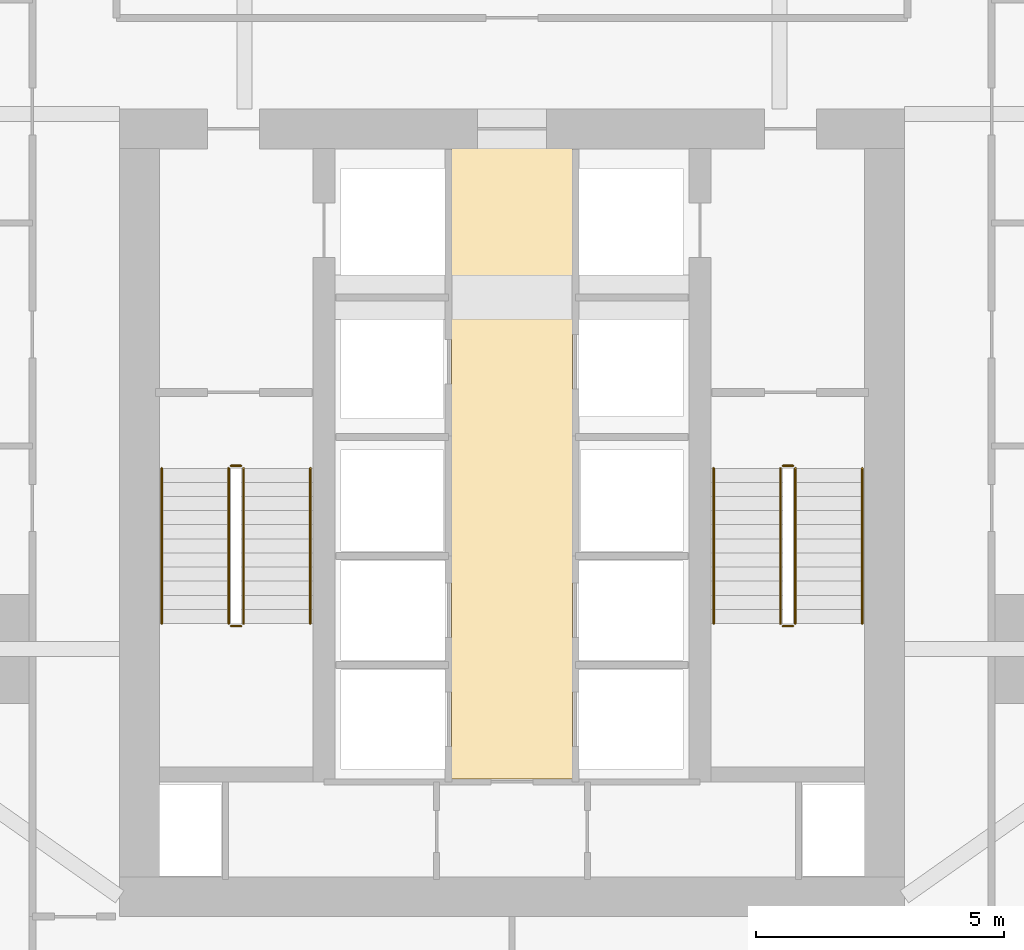
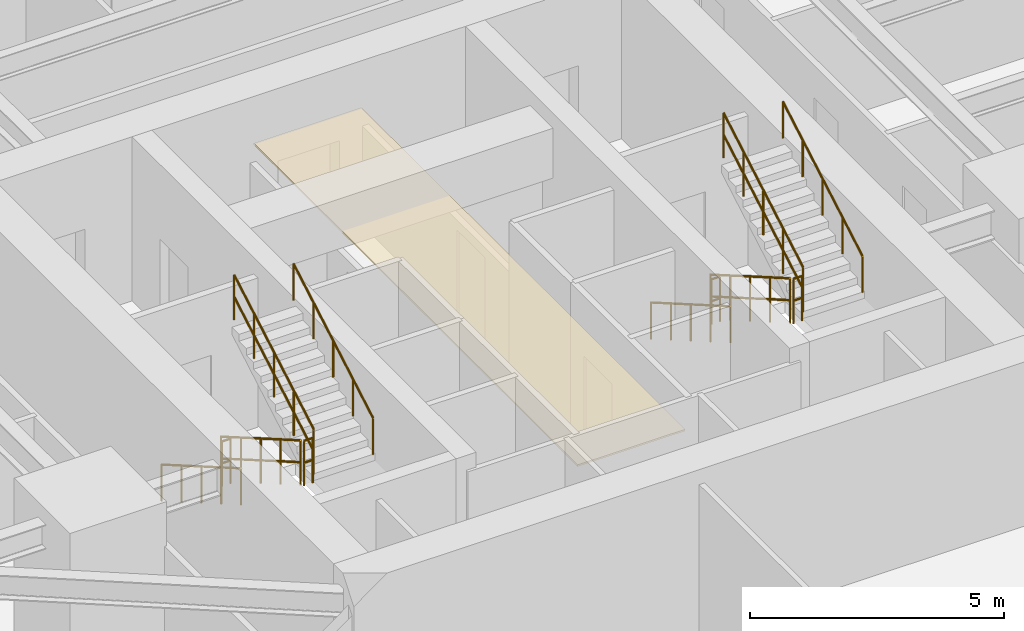
# One storey, part 28 of 29: 12 railings, 1 covering.
"""IFC4 building model written with IfcOpenShell, lengths in metres."""

from ifc_helpers import new_model, si_unit, direction, frame, origin, origin_2d, place, context, subcontext, project, spatial, polyline, circle, outline, extrude, material, layer, layer_set, type_object, element, save


model = new_model("IFC4")

# Units and contexts
model_context = context("Model", 3, precision=1e-05, world=origin(), true_north=direction((0.0, 1.0)))
body_context = subcontext(model_context, "Body", "Model", "MODEL_VIEW")
ifc_project = project(units=[si_unit("LENGTHUNIT", "METRE"), si_unit("AREAUNIT", "SQUARE_METRE"), si_unit("VOLUMEUNIT", "CUBIC_METRE"), si_unit("PLANEANGLEUNIT", "RADIAN"), si_unit("MASSUNIT", "GRAM", prefix="KILO")], contexts=[model_context])

# Site, building, storey
site_placement = place(None, origin())
site = spatial("IfcSite", under=ifc_project, at=site_placement, CompositionType="ELEMENT")
building_placement = place(site_placement, origin())
building = spatial("IfcBuilding", under=site, at=building_placement, Name="Krantzveldt Concourse Tower", CompositionType="ELEMENT")
storey_placement = place(building_placement, frame((0.0, 0.0, 76.35009765625)))
storey = spatial("IfcBuildingStorey", under=building, at=storey_placement, Name="L18", CompositionType="ELEMENT", Elevation=76.35009765625)

# Covering
ifc_material_1 = material(Name="Perforated acoustic mineral-fibre ceiling tile", Category="ceiling")
ifc_layer_1 = layer(ifc_material_1, 0.0400390625, Name="Perforated acoustic mineral-fibre ceiling tile", Category="ceiling")
ifc_layer_set_1 = layer_set([ifc_layer_1], Name="Perforated acoustic mineral-fibre ceiling tile (COV-CEIL-ACOUSTIC)")
covering_type = type_object("IfcCoveringType", Name="COV-CEIL-ACOUSTIC", PredefinedType="CEILING", material=ifc_layer_set_1)
covering_placement = place(storey_placement, frame((0.0, 0.0, 2.75)))
element("IfcCovering", 1, at=covering_placement, inside=storey, type_object=covering_type, Name="CLG-L18-LLB", PredefinedType="CEILING", context=body_context, shape_type="SweptSolid", body=[
    extrude(outline(polyline([(37.22509765625, 13.27490234375), (34.77490234375, 13.27490234375), (34.77490234375, 26.044921875), (37.22509765625, 26.044921875), (37.22509765625, 13.27490234375)])), origin(), (0.0, 0.0, 1.0), 0.039794921875),
])

# Railings
ifc_material_2 = material(Name="Stainless steel 316L", Category="steel")
ifc_layer_2 = layer(ifc_material_2, 0.06005859375, Name="Stainless steel 316L", Category="steel")
ifc_layer_set_2 = layer_set([ifc_layer_2], Name="Stainless steel 316L (RL-GUARD-1120)")
railing_type_1 = type_object("IfcRailingType", Name="RL-GUARD-1120", PredefinedType="GUARDRAIL", material=ifc_layer_set_2)
railing_1_placement = place(storey_placement, frame((30.280029296875, 19.550048828125, 0.16455078125)))
element("IfcRailing", 2, at=railing_1_placement, inside=storey, type_object=railing_type_1, Name="L18 ST-1 stair guard 1", PredefinedType="GUARDRAIL", context=body_context, shape_type="SweptSolid", body=[
    extrude(circle(Radius=0.02392578125, at=origin_2d()), frame((0.0, 0.0, 1.076171875), z_axis=(0.0, -0.865989039225, 0.500062979975), x_axis=(1.0, 0.0, 0.0)), (0.0, 0.0, 1.0), 3.6201171875),
    extrude(circle(Radius=0.02392578125, at=origin_2d()), frame((0.0, 0.0, 0.550048828125), z_axis=(0.0, -0.865989039225, 0.500062979975), x_axis=(1.0, 0.0, 0.0)), (0.0, 0.0, 1.0), 3.6201171875),
    extrude(circle(Radius=0.02099609375, at=origin_2d()), origin(), (0.0, 0.0, 1.0), 1.052001953125),
    extrude(circle(Radius=0.02099609375, at=origin_2d()), frame((0.0, -0.78369140625, 0.45263671875)), (0.0, 0.0, 1.0), 1.052001953125),
    extrude(circle(Radius=0.02099609375, at=origin_2d()), frame((0.0, -1.5673828125, 0.9052734375)), (0.0, 0.0, 1.0), 1.052001953125),
    extrude(circle(Radius=0.02099609375, at=origin_2d()), frame((0.0, -2.351318359375, 1.357666015625)), (0.0, 0.0, 1.0), 1.052001953125),
    extrude(circle(Radius=0.02099609375, at=origin_2d()), frame((0.0, -3.135009765625, 1.810302734375)), (0.0, 0.0, 1.0), 1.052001953125),
])
railing_2_placement = place(storey_placement, frame((30.330078125, 16.364990234375, 1.974853515625)))
element("IfcRailing", 3, at=railing_2_placement, inside=storey, type_object=railing_type_1, Name="L18 ST-1 stair guard 2", PredefinedType="GUARDRAIL", context=body_context, shape_type="SweptSolid", body=[
    extrude(circle(Radius=0.02392578125, at=origin_2d()), frame((0.0, 0.0, 1.076171875), z_axis=(1.0, 0.0, 0.0), x_axis=(0.0, 1.0, 0.0)), (0.0, 0.0, 1.0), 0.199951171875),
    extrude(circle(Radius=0.02392578125, at=origin_2d()), frame((0.0, 0.0, 0.550048828125), z_axis=(1.0, 0.0, 0.0), x_axis=(0.0, 1.0, 0.0)), (0.0, 0.0, 1.0), 0.199951171875),
    extrude(circle(Radius=0.02099609375, at=origin_2d()), origin(), (0.0, 0.0, 1.0), 1.052001953125),
    extrude(circle(Radius=0.02099609375, at=origin_2d()), frame((0.199951171875, 0.0, 0.0)), (0.0, 0.0, 1.0), 1.052001953125),
])
railing_3_placement = place(storey_placement, frame((30.580078125, 16.4150390625, 2.139404296875)))
element("IfcRailing", 4, at=railing_3_placement, inside=storey, type_object=railing_type_1, Name="L18 ST-1 stair guard 3", PredefinedType="GUARDRAIL", context=body_context, shape_type="SweptSolid", body=[
    extrude(circle(Radius=0.02392578125, at=origin_2d()), frame((0.0, 0.0, 1.076171875), z_axis=(0.0, 0.865959834175, 0.500113552702), x_axis=(-1.0, 0.0, 0.0)), (0.0, 0.0, 1.0), 3.620361328125),
    extrude(circle(Radius=0.02392578125, at=origin_2d()), frame((0.0, 0.0, 0.550048828125), z_axis=(0.0, 0.865959834175, 0.500113552702), x_axis=(-1.0, 0.0, 0.0)), (0.0, 0.0, 1.0), 3.620361328125),
    extrude(circle(Radius=0.02099609375, at=origin_2d()), origin(), (0.0, 0.0, 1.0), 1.052001953125),
    extrude(circle(Radius=0.02099609375, at=origin_2d()), frame((0.0, 0.78369140625, 0.45263671875)), (0.0, 0.0, 1.0), 1.052001953125),
    extrude(circle(Radius=0.02099609375, at=origin_2d()), frame((0.0, 1.5673828125, 0.9052734375)), (0.0, 0.0, 1.0), 1.052001953125),
    extrude(circle(Radius=0.02099609375, at=origin_2d()), frame((0.0, 2.351318359375, 1.35791015625)), (0.0, 0.0, 1.0), 1.052001953125),
    extrude(circle(Radius=0.02099609375, at=origin_2d()), frame((0.0, 3.135009765625, 1.810546875)), (0.0, 0.0, 1.0), 1.052001953125),
])
railing_4_placement = place(storey_placement, frame((30.330078125, 19.60009765625, 0.0)))
element("IfcRailing", 5, at=railing_4_placement, inside=storey, type_object=railing_type_1, Name="L18 ST-1 stair guard 4", PredefinedType="GUARDRAIL", context=body_context, shape_type="SweptSolid", body=[
    extrude(circle(Radius=0.02392578125, at=origin_2d()), frame((0.0, 0.0, 1.076171875), z_axis=(1.0, 0.0, 0.0), x_axis=(0.0, 1.0, 0.0)), (0.0, 0.0, 1.0), 0.199951171875),
    extrude(circle(Radius=0.02392578125, at=origin_2d()), frame((0.0, 0.0, 0.550048828125), z_axis=(1.0, 0.0, 0.0), x_axis=(0.0, 1.0, 0.0)), (0.0, 0.0, 1.0), 0.199951171875),
    extrude(circle(Radius=0.02099609375, at=origin_2d()), origin(), (0.0, 0.0, 1.0), 1.052001953125),
    extrude(circle(Radius=0.02099609375, at=origin_2d()), frame((0.199951171875, 0.0, 0.0)), (0.0, 0.0, 1.0), 1.052001953125),
])
railing_5_placement = place(storey_placement, frame((41.419921875, 19.550048828125, 0.16455078125)))
element("IfcRailing", 6, at=railing_5_placement, inside=storey, type_object=railing_type_1, Name="L18 ST-2 stair guard 1", PredefinedType="GUARDRAIL", context=body_context, shape_type="SweptSolid", body=[
    extrude(circle(Radius=0.02392578125, at=origin_2d()), frame((0.0, 0.0, 1.076171875), z_axis=(0.0, -0.865989039225, 0.500062979975), x_axis=(1.0, 0.0, 0.0)), (0.0, 0.0, 1.0), 3.6201171875),
    extrude(circle(Radius=0.02392578125, at=origin_2d()), frame((0.0, 0.0, 0.550048828125), z_axis=(0.0, -0.865989039225, 0.500062979975), x_axis=(1.0, 0.0, 0.0)), (0.0, 0.0, 1.0), 3.6201171875),
    extrude(circle(Radius=0.02099609375, at=origin_2d()), origin(), (0.0, 0.0, 1.0), 1.052001953125),
    extrude(circle(Radius=0.02099609375, at=origin_2d()), frame((0.0, -0.78369140625, 0.45263671875)), (0.0, 0.0, 1.0), 1.052001953125),
    extrude(circle(Radius=0.02099609375, at=origin_2d()), frame((0.0, -1.5673828125, 0.9052734375)), (0.0, 0.0, 1.0), 1.052001953125),
    extrude(circle(Radius=0.02099609375, at=origin_2d()), frame((0.0, -2.351318359375, 1.357666015625)), (0.0, 0.0, 1.0), 1.052001953125),
    extrude(circle(Radius=0.02099609375, at=origin_2d()), frame((0.0, -3.135009765625, 1.810302734375)), (0.0, 0.0, 1.0), 1.052001953125),
])
railing_6_placement = place(storey_placement, frame((41.469970703125, 16.364990234375, 1.974853515625)))
element("IfcRailing", 7, at=railing_6_placement, inside=storey, type_object=railing_type_1, Name="L18 ST-2 stair guard 2", PredefinedType="GUARDRAIL", context=body_context, shape_type="SweptSolid", body=[
    extrude(circle(Radius=0.02392578125, at=origin_2d()), frame((0.0, 0.0, 1.076171875), z_axis=(1.0, 0.0, 0.0), x_axis=(0.0, 1.0, 0.0)), (0.0, 0.0, 1.0), 0.199951171875),
    extrude(circle(Radius=0.02392578125, at=origin_2d()), frame((0.0, 0.0, 0.550048828125), z_axis=(1.0, 0.0, 0.0), x_axis=(0.0, 1.0, 0.0)), (0.0, 0.0, 1.0), 0.199951171875),
    extrude(circle(Radius=0.02099609375, at=origin_2d()), origin(), (0.0, 0.0, 1.0), 1.052001953125),
    extrude(circle(Radius=0.02099609375, at=origin_2d()), frame((0.199951171875, 0.0, 0.0)), (0.0, 0.0, 1.0), 1.052001953125),
])
railing_7_placement = place(storey_placement, frame((41.719970703125, 16.4150390625, 2.139404296875)))
element("IfcRailing", 8, at=railing_7_placement, inside=storey, type_object=railing_type_1, Name="L18 ST-2 stair guard 3", PredefinedType="GUARDRAIL", context=body_context, shape_type="SweptSolid", body=[
    extrude(circle(Radius=0.02392578125, at=origin_2d()), frame((0.0, 0.0, 1.076171875), z_axis=(0.0, 0.865959834175, 0.500113552702), x_axis=(-1.0, 0.0, 0.0)), (0.0, 0.0, 1.0), 3.620361328125),
    extrude(circle(Radius=0.02392578125, at=origin_2d()), frame((0.0, 0.0, 0.550048828125), z_axis=(0.0, 0.865959834175, 0.500113552702), x_axis=(-1.0, 0.0, 0.0)), (0.0, 0.0, 1.0), 3.620361328125),
    extrude(circle(Radius=0.02099609375, at=origin_2d()), origin(), (0.0, 0.0, 1.0), 1.052001953125),
    extrude(circle(Radius=0.02099609375, at=origin_2d()), frame((0.0, 0.78369140625, 0.45263671875)), (0.0, 0.0, 1.0), 1.052001953125),
    extrude(circle(Radius=0.02099609375, at=origin_2d()), frame((0.0, 1.5673828125, 0.9052734375)), (0.0, 0.0, 1.0), 1.052001953125),
    extrude(circle(Radius=0.02099609375, at=origin_2d()), frame((0.0, 2.351318359375, 1.35791015625)), (0.0, 0.0, 1.0), 1.052001953125),
    extrude(circle(Radius=0.02099609375, at=origin_2d()), frame((0.0, 3.135009765625, 1.810546875)), (0.0, 0.0, 1.0), 1.052001953125),
])
railing_8_placement = place(storey_placement, frame((41.469970703125, 19.60009765625, 0.0)))
element("IfcRailing", 9, at=railing_8_placement, inside=storey, type_object=railing_type_1, Name="L18 ST-2 stair guard 4", PredefinedType="GUARDRAIL", context=body_context, shape_type="SweptSolid", body=[
    extrude(circle(Radius=0.02392578125, at=origin_2d()), frame((0.0, 0.0, 1.076171875), z_axis=(1.0, 0.0, 0.0), x_axis=(0.0, 1.0, 0.0)), (0.0, 0.0, 1.0), 0.199951171875),
    extrude(circle(Radius=0.02392578125, at=origin_2d()), frame((0.0, 0.0, 0.550048828125), z_axis=(1.0, 0.0, 0.0), x_axis=(0.0, 1.0, 0.0)), (0.0, 0.0, 1.0), 0.199951171875),
    extrude(circle(Radius=0.02099609375, at=origin_2d()), origin(), (0.0, 0.0, 1.0), 1.052001953125),
    extrude(circle(Radius=0.02099609375, at=origin_2d()), frame((0.199951171875, 0.0, 0.0)), (0.0, 0.0, 1.0), 1.052001953125),
])
ifc_layer_3 = layer(ifc_material_2, 0.050048828125, Name="Stainless steel 316L", Category="steel")
ifc_layer_set_3 = layer_set([ifc_layer_3], Name="Stainless steel 316L (RL-HANDRAIL-920)")
railing_type_2 = type_object("IfcRailingType", Name="RL-HANDRAIL-920", PredefinedType="HANDRAIL", material=ifc_layer_set_3)
railing_9_placement = place(storey_placement, frame((28.929931640625, 19.550048828125, 0.16455078125)))
element("IfcRailing", 10, at=railing_9_placement, inside=storey, type_object=railing_type_2, Name="L18 ST-1 stair handrail 1", PredefinedType="HANDRAIL", context=body_context, shape_type="SweptSolid", body=[
    extrude(circle(Radius=0.02392578125, at=origin_2d()), frame((0.0, 0.0, 0.8759765625), z_axis=(0.0, -0.865989039225, 0.500062979975), x_axis=(1.0, 0.0, 0.0)), (0.0, 0.0, 1.0), 3.6201171875),
    extrude(circle(Radius=0.02099609375, at=origin_2d()), origin(), (0.0, 0.0, 1.0), 0.851806640625),
    extrude(circle(Radius=0.02099609375, at=origin_2d()), frame((0.0, -0.78369140625, 0.45263671875)), (0.0, 0.0, 1.0), 0.851806640625),
    extrude(circle(Radius=0.02099609375, at=origin_2d()), frame((0.0, -1.5673828125, 0.9052734375)), (0.0, 0.0, 1.0), 0.851806640625),
    extrude(circle(Radius=0.02099609375, at=origin_2d()), frame((0.0, -2.351318359375, 1.357666015625)), (0.0, 0.0, 1.0), 0.851806640625),
    extrude(circle(Radius=0.02099609375, at=origin_2d()), frame((0.0, -3.135009765625, 1.810302734375)), (0.0, 0.0, 1.0), 0.851806640625),
])
railing_10_placement = place(storey_placement, frame((31.929931640625, 16.4150390625, 2.139404296875)))
element("IfcRailing", 11, at=railing_10_placement, inside=storey, type_object=railing_type_2, Name="L18 ST-1 stair handrail 2", PredefinedType="HANDRAIL", context=body_context, shape_type="SweptSolid", body=[
    extrude(circle(Radius=0.02392578125, at=origin_2d()), frame((0.0, 0.0, 0.8759765625), z_axis=(0.0, 0.865959834175, 0.500113552702), x_axis=(-1.0, 0.0, 0.0)), (0.0, 0.0, 1.0), 3.620361328125),
    extrude(circle(Radius=0.02099609375, at=origin_2d()), origin(), (0.0, 0.0, 1.0), 0.851806640625),
    extrude(circle(Radius=0.02099609375, at=origin_2d()), frame((0.0, 0.78369140625, 0.45263671875)), (0.0, 0.0, 1.0), 0.851806640625),
    extrude(circle(Radius=0.02099609375, at=origin_2d()), frame((0.0, 1.5673828125, 0.9052734375)), (0.0, 0.0, 1.0), 0.851806640625),
    extrude(circle(Radius=0.02099609375, at=origin_2d()), frame((0.0, 2.351318359375, 1.35791015625)), (0.0, 0.0, 1.0), 0.851806640625),
    extrude(circle(Radius=0.02099609375, at=origin_2d()), frame((0.0, 3.135009765625, 1.810546875)), (0.0, 0.0, 1.0), 0.851806640625),
])
railing_11_placement = place(storey_placement, frame((40.070068359375, 19.550048828125, 0.16455078125)))
element("IfcRailing", 12, at=railing_11_placement, inside=storey, type_object=railing_type_2, Name="L18 ST-2 stair handrail 1", PredefinedType="HANDRAIL", context=body_context, shape_type="SweptSolid", body=[
    extrude(circle(Radius=0.02392578125, at=origin_2d()), frame((0.0, 0.0, 0.8759765625), z_axis=(0.0, -0.865989039225, 0.500062979975), x_axis=(1.0, 0.0, 0.0)), (0.0, 0.0, 1.0), 3.6201171875),
    extrude(circle(Radius=0.02099609375, at=origin_2d()), origin(), (0.0, 0.0, 1.0), 0.851806640625),
    extrude(circle(Radius=0.02099609375, at=origin_2d()), frame((0.0, -0.78369140625, 0.45263671875)), (0.0, 0.0, 1.0), 0.851806640625),
    extrude(circle(Radius=0.02099609375, at=origin_2d()), frame((0.0, -1.5673828125, 0.9052734375)), (0.0, 0.0, 1.0), 0.851806640625),
    extrude(circle(Radius=0.02099609375, at=origin_2d()), frame((0.0, -2.351318359375, 1.357666015625)), (0.0, 0.0, 1.0), 0.851806640625),
    extrude(circle(Radius=0.02099609375, at=origin_2d()), frame((0.0, -3.135009765625, 1.810302734375)), (0.0, 0.0, 1.0), 0.851806640625),
])
railing_12_placement = place(storey_placement, frame((43.070068359375, 16.4150390625, 2.139404296875)))
element("IfcRailing", 13, at=railing_12_placement, inside=storey, type_object=railing_type_2, Name="L18 ST-2 stair handrail 2", PredefinedType="HANDRAIL", context=body_context, shape_type="SweptSolid", body=[
    extrude(circle(Radius=0.02392578125, at=origin_2d()), frame((0.0, 0.0, 0.8759765625), z_axis=(0.0, 0.865959834175, 0.500113552702), x_axis=(-1.0, 0.0, 0.0)), (0.0, 0.0, 1.0), 3.620361328125),
    extrude(circle(Radius=0.02099609375, at=origin_2d()), origin(), (0.0, 0.0, 1.0), 0.851806640625),
    extrude(circle(Radius=0.02099609375, at=origin_2d()), frame((0.0, 0.78369140625, 0.45263671875)), (0.0, 0.0, 1.0), 0.851806640625),
    extrude(circle(Radius=0.02099609375, at=origin_2d()), frame((0.0, 1.5673828125, 0.9052734375)), (0.0, 0.0, 1.0), 0.851806640625),
    extrude(circle(Radius=0.02099609375, at=origin_2d()), frame((0.0, 2.351318359375, 1.35791015625)), (0.0, 0.0, 1.0), 0.851806640625),
    extrude(circle(Radius=0.02099609375, at=origin_2d()), frame((0.0, 3.135009765625, 1.810546875)), (0.0, 0.0, 1.0), 0.851806640625),
])

save(model, "model.ifc")
